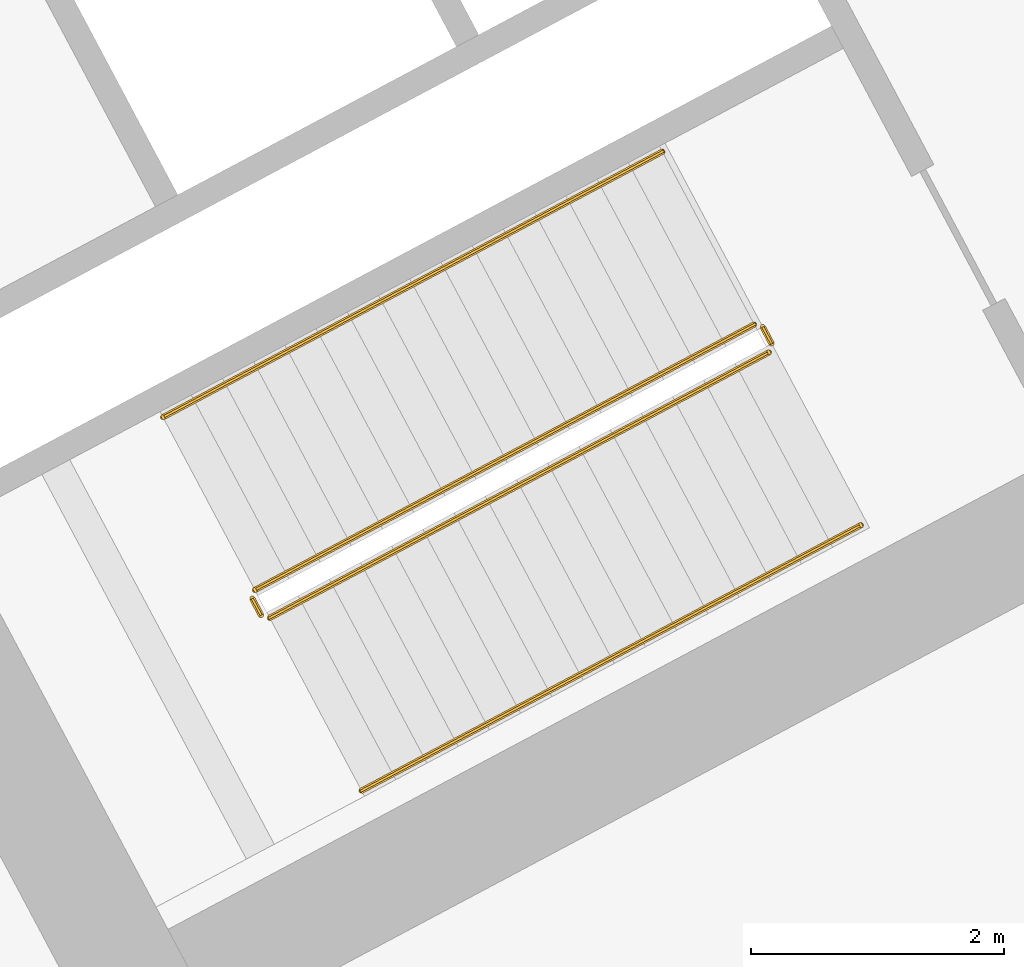
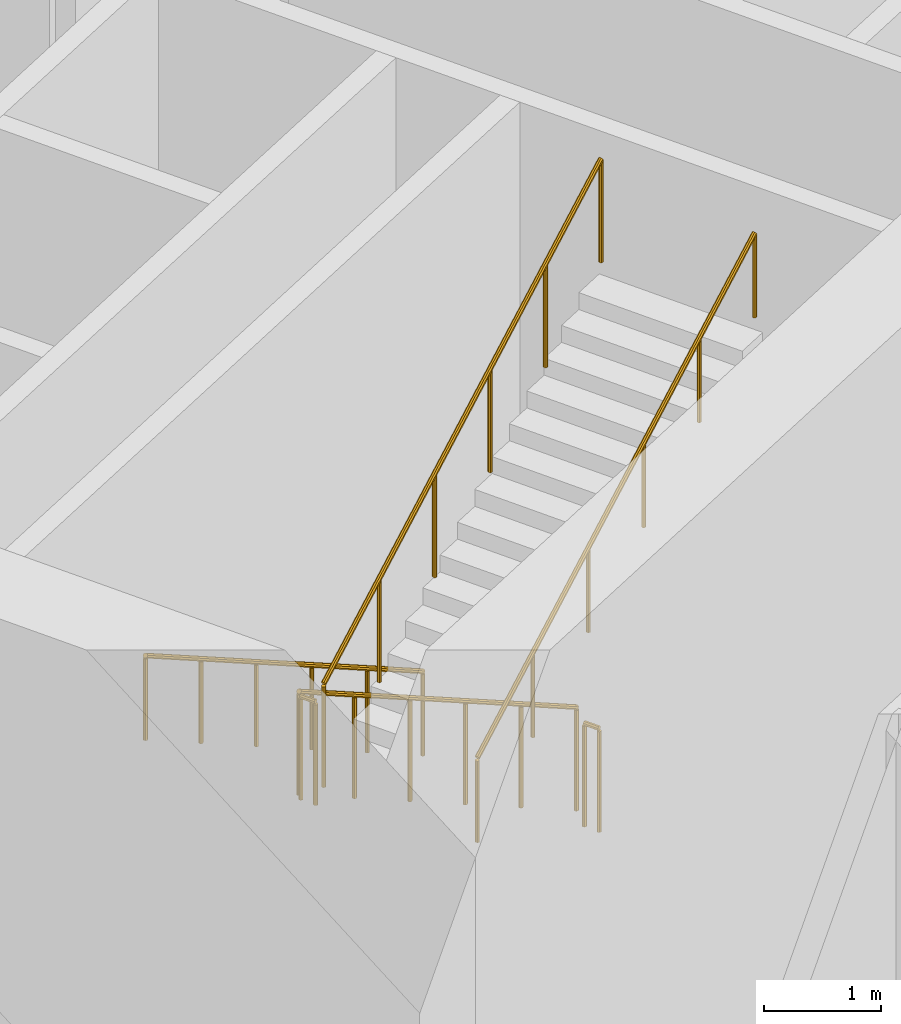
# One storey, part 27 of 33: 6 railings.
"""IFC4 building model written with IfcOpenShell, lengths in metres."""

from ifc_helpers import new_model, si_unit, direction, frame, origin, place, context, subcontext, project, spatial, polyline, outline, extrude, material, type_object, element, save


model = new_model("IFC4")

# Units and contexts
model_context = context("Model", 3, precision=1e-05, world=origin(), true_north=direction((0.0, 1.0)))
body_context = subcontext(model_context, "Body", "Model", "MODEL_VIEW")
ifc_project = project(units=[si_unit("LENGTHUNIT", "METRE"), si_unit("AREAUNIT", "SQUARE_METRE"), si_unit("VOLUMEUNIT", "CUBIC_METRE"), si_unit("PLANEANGLEUNIT", "RADIAN"), si_unit("MASSUNIT", "GRAM", prefix="KILO")], contexts=[model_context])

# Site, building, storey
site_placement = place(None, origin())
site = spatial("IfcSite", under=ifc_project, at=site_placement, CompositionType="ELEMENT")
building_placement = place(site_placement, origin())
building = spatial("IfcBuilding", under=site, at=building_placement, Name="Cormorant Relay Tower", CompositionType="ELEMENT")
storey_placement = place(building_placement, frame((0.0, 0.0, 112.199951171875)))
storey = spatial("IfcBuildingStorey", under=building, at=storey_placement, Name="L22", CompositionType="ELEMENT", Elevation=112.199951171875)

# Railings
ifc_material_1 = material(Name="Steel ASTM A572 Grade 50 (Fy 345 MPa)", Category="steel")
railing_type_1 = type_object("IfcRailingType", Name="Stair guard 1100", PredefinedType="GUARDRAIL", material=ifc_material_1)
railing_1_placement = place(storey_placement, frame((23.83837890625, 4.6904296875, 0.176513671875)))
element("IfcRailing", 1, at=railing_1_placement, inside=storey, type_object=railing_type_1, Name="L22 B1 stair guard 1", PredefinedType="GUARDRAIL", context=body_context, shape_type="SweptSolid", body=[
    extrude(outline(polyline([(0.022216796875, 0.00927734375), (0.00927734375, 0.022216796875), (-0.00927734375, 0.022216796875), (-0.022216796875, 0.00927734375), (-0.022216796875, -0.00927734375), (-0.00927734375, -0.022216796875), (0.00927734375, -0.022216796875), (0.022216796875, -0.00927734375), (0.022216796875, 0.00927734375)])), frame((0.0, 0.0, 1.076171875), z_axis=(-0.746967351038, -0.397180825157, 0.533185866853), x_axis=(0.469481920044, -0.882942085729, 0.0)), (0.0, 0.0, 1.0), 5.29541015625),
    extrude(outline(polyline([(0.019287109375, 0.008056640625), (0.008056640625, 0.019287109375), (-0.008056640625, 0.019287109375), (-0.019287109375, 0.008056640625), (-0.019287109375, -0.008056640625), (-0.008056640625, -0.019287109375), (0.008056640625, -0.019287109375), (0.019287109375, -0.008056640625), (0.019287109375, 0.008056640625)])), origin(), (0.0, 0.0, 1.0), 1.052001953125),
    extrude(outline(polyline([(0.019287109375, 0.008056640625), (0.008056640625, 0.019287109375), (-0.008056640625, 0.019287109375), (-0.019287109375, 0.008056640625), (-0.019287109375, -0.008056640625), (-0.008056640625, -0.019287109375), (0.008056640625, -0.019287109375), (0.019287109375, -0.008056640625), (0.019287109375, 0.008056640625)])), frame((-0.791015625, -0.420654296875, 0.564697265625)), (0.0, 0.0, 1.0), 1.052001953125),
    extrude(outline(polyline([(0.019287109375, 0.008056640625), (0.008056640625, 0.019287109375), (-0.008056640625, 0.019287109375), (-0.019287109375, 0.008056640625), (-0.019287109375, -0.008056640625), (-0.008056640625, -0.019287109375), (0.008056640625, -0.019287109375), (0.019287109375, -0.008056640625), (0.019287109375, 0.008056640625)])), frame((-1.582275390625, -0.84130859375, 1.12939453125)), (0.0, 0.0, 1.0), 1.052001953125),
    extrude(outline(polyline([(0.019287109375, 0.008056640625), (0.008056640625, 0.019287109375), (-0.008056640625, 0.019287109375), (-0.019287109375, 0.008056640625), (-0.019287109375, -0.008056640625), (-0.008056640625, -0.019287109375), (0.008056640625, -0.019287109375), (0.019287109375, -0.008056640625), (0.019287109375, 0.008056640625)])), frame((-2.373291015625, -1.261962890625, 1.694091796875)), (0.0, 0.0, 1.0), 1.052001953125),
    extrude(outline(polyline([(0.019287109375, 0.008056640625), (0.008056640625, 0.019287109375), (-0.008056640625, 0.019287109375), (-0.019287109375, 0.008056640625), (-0.019287109375, -0.008056640625), (-0.008056640625, -0.019287109375), (0.008056640625, -0.019287109375), (0.019287109375, -0.008056640625), (0.019287109375, 0.008056640625)])), frame((-3.16455078125, -1.6826171875, 2.2587890625)), (0.0, 0.0, 1.0), 1.052001953125),
    extrude(outline(polyline([(0.019287109375, 0.008056640625), (0.008056640625, 0.019287109375), (-0.008056640625, 0.019287109375), (-0.019287109375, 0.008056640625), (-0.019287109375, -0.008056640625), (-0.008056640625, -0.019287109375), (0.008056640625, -0.019287109375), (0.019287109375, -0.008056640625), (0.019287109375, 0.008056640625)])), frame((-3.95556640625, -2.103271484375, 2.823486328125)), (0.0, 0.0, 1.0), 1.052001953125),
])
railing_2_placement = place(storey_placement, frame((19.862060546875, 2.51953125, 3.0)))
element("IfcRailing", 2, at=railing_2_placement, inside=storey, type_object=railing_type_1, Name="L22 B1 stair guard 2", PredefinedType="GUARDRAIL", context=body_context, shape_type="SweptSolid", body=[
    extrude(outline(polyline([(0.022216796875, 0.00927734375), (0.00927734375, 0.022216796875), (-0.00927734375, 0.022216796875), (-0.022216796875, 0.00927734375), (-0.022216796875, -0.00927734375), (-0.00927734375, -0.022216796875), (0.00927734375, -0.022216796875), (0.022216796875, -0.00927734375), (0.022216796875, 0.00927734375)])), frame((0.0, 0.0, 1.076171875), z_axis=(0.469234640946, -0.883073525669, 0.0), x_axis=(0.883073525669, 0.469234640946, 0.0)), (0.0, 0.0, 1.0), 0.14990234375),
    extrude(outline(polyline([(0.019287109375, 0.008056640625), (0.008056640625, 0.019287109375), (-0.008056640625, 0.019287109375), (-0.019287109375, 0.008056640625), (-0.019287109375, -0.008056640625), (-0.008056640625, -0.019287109375), (0.008056640625, -0.019287109375), (0.019287109375, -0.008056640625), (0.019287109375, 0.008056640625)])), origin(), (0.0, 0.0, 1.0), 1.052001953125),
    extrude(outline(polyline([(0.019287109375, 0.008056640625), (0.008056640625, 0.019287109375), (-0.008056640625, 0.019287109375), (-0.019287109375, 0.008056640625), (-0.019287109375, -0.008056640625), (-0.008056640625, -0.019287109375), (0.008056640625, -0.019287109375), (0.019287109375, -0.008056640625), (0.019287109375, 0.008056640625)])), frame((0.0703125, -0.13232421875, 0.0)), (0.0, 0.0, 1.0), 1.052001953125),
])
railing_3_placement = place(storey_placement, frame((20.0, 2.366455078125, 3.176513671875)))
element("IfcRailing", 3, at=railing_3_placement, inside=storey, type_object=railing_type_1, Name="L22 B1 stair guard 3", PredefinedType="GUARDRAIL", context=body_context, shape_type="SweptSolid", body=[
    extrude(outline(polyline([(0.022216796875, 0.00927734375), (0.00927734375, 0.022216796875), (-0.00927734375, 0.022216796875), (-0.022216796875, 0.00927734375), (-0.022216796875, -0.00927734375), (-0.00927734375, -0.022216796875), (0.00927734375, -0.022216796875), (0.022216796875, -0.00927734375), (0.022216796875, 0.00927734375)])), frame((0.0, 0.0, 1.076171875), z_axis=(0.746967351038, 0.397180825157, 0.533185866853), x_axis=(-0.469481920044, 0.882942085729, 0.0)), (0.0, 0.0, 1.0), 5.29541015625),
    extrude(outline(polyline([(0.019287109375, 0.008056640625), (0.008056640625, 0.019287109375), (-0.008056640625, 0.019287109375), (-0.019287109375, 0.008056640625), (-0.019287109375, -0.008056640625), (-0.008056640625, -0.019287109375), (0.008056640625, -0.019287109375), (0.019287109375, -0.008056640625), (0.019287109375, 0.008056640625)])), origin(), (0.0, 0.0, 1.0), 1.052001953125),
    extrude(outline(polyline([(0.019287109375, 0.008056640625), (0.008056640625, 0.019287109375), (-0.008056640625, 0.019287109375), (-0.019287109375, 0.008056640625), (-0.019287109375, -0.008056640625), (-0.008056640625, -0.019287109375), (0.008056640625, -0.019287109375), (0.019287109375, -0.008056640625), (0.019287109375, 0.008056640625)])), frame((0.791015625, 0.420654296875, 0.564697265625)), (0.0, 0.0, 1.0), 1.052001953125),
    extrude(outline(polyline([(0.019287109375, 0.008056640625), (0.008056640625, 0.019287109375), (-0.008056640625, 0.019287109375), (-0.019287109375, 0.008056640625), (-0.019287109375, -0.008056640625), (-0.008056640625, -0.019287109375), (0.008056640625, -0.019287109375), (0.019287109375, -0.008056640625), (0.019287109375, 0.008056640625)])), frame((1.582275390625, 0.84130859375, 1.12939453125)), (0.0, 0.0, 1.0), 1.052001953125),
    extrude(outline(polyline([(0.019287109375, 0.008056640625), (0.008056640625, 0.019287109375), (-0.008056640625, 0.019287109375), (-0.019287109375, 0.008056640625), (-0.019287109375, -0.008056640625), (-0.008056640625, -0.019287109375), (0.008056640625, -0.019287109375), (0.019287109375, -0.008056640625), (0.019287109375, 0.008056640625)])), frame((2.373291015625, 1.261962890625, 1.694091796875)), (0.0, 0.0, 1.0), 1.052001953125),
    extrude(outline(polyline([(0.019287109375, 0.008056640625), (0.008056640625, 0.019287109375), (-0.008056640625, 0.019287109375), (-0.019287109375, 0.008056640625), (-0.019287109375, -0.008056640625), (-0.008056640625, -0.019287109375), (0.008056640625, -0.019287109375), (0.019287109375, -0.008056640625), (0.019287109375, 0.008056640625)])), frame((3.16455078125, 1.6826171875, 2.2587890625)), (0.0, 0.0, 1.0), 1.052001953125),
    extrude(outline(polyline([(0.019287109375, 0.008056640625), (0.008056640625, 0.019287109375), (-0.008056640625, 0.019287109375), (-0.019287109375, 0.008056640625), (-0.019287109375, -0.008056640625), (-0.008056640625, -0.019287109375), (0.008056640625, -0.019287109375), (0.019287109375, -0.008056640625), (0.019287109375, 0.008056640625)])), frame((3.95556640625, 2.103271484375, 2.823486328125)), (0.0, 0.0, 1.0), 1.052001953125),
])
railing_4_placement = place(storey_placement, frame((23.906005859375, 4.669677734375, 0.0)))
element("IfcRailing", 4, at=railing_4_placement, inside=storey, type_object=railing_type_1, Name="L22 B1 stair guard 4", PredefinedType="GUARDRAIL", context=body_context, shape_type="SweptSolid", body=[
    extrude(outline(polyline([(0.022216796875, 0.00927734375), (0.00927734375, 0.022216796875), (-0.00927734375, 0.022216796875), (-0.022216796875, 0.00927734375), (-0.022216796875, -0.00927734375), (-0.00927734375, -0.022216796875), (0.00927734375, -0.022216796875), (0.022216796875, -0.00927734375), (0.022216796875, 0.00927734375)])), frame((0.0, 0.0, 1.076171875), z_axis=(0.469234640946, -0.883073525669, 0.0), x_axis=(0.883073525669, 0.469234640946, 0.0)), (0.0, 0.0, 1.0), 0.14990234375),
    extrude(outline(polyline([(0.019287109375, 0.008056640625), (0.008056640625, 0.019287109375), (-0.008056640625, 0.019287109375), (-0.019287109375, 0.008056640625), (-0.019287109375, -0.008056640625), (-0.008056640625, -0.019287109375), (0.008056640625, -0.019287109375), (0.019287109375, -0.008056640625), (0.019287109375, 0.008056640625)])), origin(), (0.0, 0.0, 1.0), 1.052001953125),
    extrude(outline(polyline([(0.019287109375, 0.008056640625), (0.008056640625, 0.019287109375), (-0.008056640625, 0.019287109375), (-0.019287109375, 0.008056640625), (-0.019287109375, -0.008056640625), (-0.008056640625, -0.019287109375), (0.008056640625, -0.019287109375), (0.019287109375, -0.008056640625), (0.019287109375, 0.008056640625)])), frame((0.0703125, -0.13232421875, 0.0)), (0.0, 0.0, 1.0), 1.052001953125),
])
ifc_material_2 = material(Name="Steel ASTM A572 Grade 50 (Fy 345 MPa)", Category="steel")
railing_type_2 = type_object("IfcRailingType", Name="Stair handrail 900", PredefinedType="HANDRAIL", material=ifc_material_2)
railing_5_placement = place(storey_placement, frame((23.110595703125, 6.05908203125, 0.176513671875)))
element("IfcRailing", 5, at=railing_5_placement, inside=storey, type_object=railing_type_2, Name="L22 B1 stair handrail 1", PredefinedType="HANDRAIL", context=body_context, shape_type="SweptSolid", body=[
    extrude(outline(polyline([(0.022216796875, 0.00927734375), (0.00927734375, 0.022216796875), (-0.00927734375, 0.022216796875), (-0.022216796875, 0.00927734375), (-0.022216796875, -0.00927734375), (-0.00927734375, -0.022216796875), (0.00927734375, -0.022216796875), (0.022216796875, -0.00927734375), (0.022216796875, 0.00927734375)])), frame((0.0, 0.0, 0.8759765625), z_axis=(-0.746967351038, -0.397180825157, 0.533185866853), x_axis=(0.469481920044, -0.882942085729, 0.0)), (0.0, 0.0, 1.0), 5.29541015625),
    extrude(outline(polyline([(0.019287109375, 0.008056640625), (0.008056640625, 0.019287109375), (-0.008056640625, 0.019287109375), (-0.019287109375, 0.008056640625), (-0.019287109375, -0.008056640625), (-0.008056640625, -0.019287109375), (0.008056640625, -0.019287109375), (0.019287109375, -0.008056640625), (0.019287109375, 0.008056640625)])), origin(), (0.0, 0.0, 1.0), 0.851806640625),
    extrude(outline(polyline([(0.019287109375, 0.008056640625), (0.008056640625, 0.019287109375), (-0.008056640625, 0.019287109375), (-0.019287109375, 0.008056640625), (-0.019287109375, -0.008056640625), (-0.008056640625, -0.019287109375), (0.008056640625, -0.019287109375), (0.019287109375, -0.008056640625), (0.019287109375, 0.008056640625)])), frame((-0.791015625, -0.420654296875, 0.564697265625)), (0.0, 0.0, 1.0), 0.851806640625),
    extrude(outline(polyline([(0.019287109375, 0.008056640625), (0.008056640625, 0.019287109375), (-0.008056640625, 0.019287109375), (-0.019287109375, 0.008056640625), (-0.019287109375, -0.008056640625), (-0.008056640625, -0.019287109375), (0.008056640625, -0.019287109375), (0.019287109375, -0.008056640625), (0.019287109375, 0.008056640625)])), frame((-1.582275390625, -0.84130859375, 1.12939453125)), (0.0, 0.0, 1.0), 0.851806640625),
    extrude(outline(polyline([(0.019287109375, 0.008056640625), (0.008056640625, 0.019287109375), (-0.008056640625, 0.019287109375), (-0.019287109375, 0.008056640625), (-0.019287109375, -0.008056640625), (-0.008056640625, -0.019287109375), (0.008056640625, -0.019287109375), (0.019287109375, -0.008056640625), (0.019287109375, 0.008056640625)])), frame((-2.373291015625, -1.261962890625, 1.694091796875)), (0.0, 0.0, 1.0), 0.851806640625),
    extrude(outline(polyline([(0.019287109375, 0.008056640625), (0.008056640625, 0.019287109375), (-0.008056640625, 0.019287109375), (-0.019287109375, 0.008056640625), (-0.019287109375, -0.008056640625), (-0.008056640625, -0.019287109375), (0.008056640625, -0.019287109375), (0.019287109375, -0.008056640625), (0.019287109375, 0.008056640625)])), frame((-3.16455078125, -1.6826171875, 2.2587890625)), (0.0, 0.0, 1.0), 0.851806640625),
    extrude(outline(polyline([(0.019287109375, 0.008056640625), (0.008056640625, 0.019287109375), (-0.008056640625, 0.019287109375), (-0.019287109375, 0.008056640625), (-0.019287109375, -0.008056640625), (-0.008056640625, -0.019287109375), (0.008056640625, -0.019287109375), (0.019287109375, -0.008056640625), (0.019287109375, 0.008056640625)])), frame((-3.95556640625, -2.103271484375, 2.823486328125)), (0.0, 0.0, 1.0), 0.851806640625),
])
railing_6_placement = place(storey_placement, frame((20.727783203125, 0.997802734375, 3.176513671875)))
element("IfcRailing", 6, at=railing_6_placement, inside=storey, type_object=railing_type_2, Name="L22 B1 stair handrail 2", PredefinedType="HANDRAIL", context=body_context, shape_type="SweptSolid", body=[
    extrude(outline(polyline([(0.022216796875, 0.00927734375), (0.00927734375, 0.022216796875), (-0.00927734375, 0.022216796875), (-0.022216796875, 0.00927734375), (-0.022216796875, -0.00927734375), (-0.00927734375, -0.022216796875), (0.00927734375, -0.022216796875), (0.022216796875, -0.00927734375), (0.022216796875, 0.00927734375)])), frame((0.0, 0.0, 0.8759765625), z_axis=(0.746967351038, 0.397180825157, 0.533185866853), x_axis=(-0.469481920044, 0.882942085729, 0.0)), (0.0, 0.0, 1.0), 5.29541015625),
    extrude(outline(polyline([(0.019287109375, 0.008056640625), (0.008056640625, 0.019287109375), (-0.008056640625, 0.019287109375), (-0.019287109375, 0.008056640625), (-0.019287109375, -0.008056640625), (-0.008056640625, -0.019287109375), (0.008056640625, -0.019287109375), (0.019287109375, -0.008056640625), (0.019287109375, 0.008056640625)])), origin(), (0.0, 0.0, 1.0), 0.851806640625),
    extrude(outline(polyline([(0.019287109375, 0.008056640625), (0.008056640625, 0.019287109375), (-0.008056640625, 0.019287109375), (-0.019287109375, 0.008056640625), (-0.019287109375, -0.008056640625), (-0.008056640625, -0.019287109375), (0.008056640625, -0.019287109375), (0.019287109375, -0.008056640625), (0.019287109375, 0.008056640625)])), frame((0.791015625, 0.420654296875, 0.564697265625)), (0.0, 0.0, 1.0), 0.851806640625),
    extrude(outline(polyline([(0.019287109375, 0.008056640625), (0.008056640625, 0.019287109375), (-0.008056640625, 0.019287109375), (-0.019287109375, 0.008056640625), (-0.019287109375, -0.008056640625), (-0.008056640625, -0.019287109375), (0.008056640625, -0.019287109375), (0.019287109375, -0.008056640625), (0.019287109375, 0.008056640625)])), frame((1.582275390625, 0.84130859375, 1.12939453125)), (0.0, 0.0, 1.0), 0.851806640625),
    extrude(outline(polyline([(0.019287109375, 0.008056640625), (0.008056640625, 0.019287109375), (-0.008056640625, 0.019287109375), (-0.019287109375, 0.008056640625), (-0.019287109375, -0.008056640625), (-0.008056640625, -0.019287109375), (0.008056640625, -0.019287109375), (0.019287109375, -0.008056640625), (0.019287109375, 0.008056640625)])), frame((2.373291015625, 1.261962890625, 1.694091796875)), (0.0, 0.0, 1.0), 0.851806640625),
    extrude(outline(polyline([(0.019287109375, 0.008056640625), (0.008056640625, 0.019287109375), (-0.008056640625, 0.019287109375), (-0.019287109375, 0.008056640625), (-0.019287109375, -0.008056640625), (-0.008056640625, -0.019287109375), (0.008056640625, -0.019287109375), (0.019287109375, -0.008056640625), (0.019287109375, 0.008056640625)])), frame((3.16455078125, 1.6826171875, 2.2587890625)), (0.0, 0.0, 1.0), 0.851806640625),
    extrude(outline(polyline([(0.019287109375, 0.008056640625), (0.008056640625, 0.019287109375), (-0.008056640625, 0.019287109375), (-0.019287109375, 0.008056640625), (-0.019287109375, -0.008056640625), (-0.008056640625, -0.019287109375), (0.008056640625, -0.019287109375), (0.019287109375, -0.008056640625), (0.019287109375, 0.008056640625)])), frame((3.95556640625, 2.103271484375, 2.823486328125)), (0.0, 0.0, 1.0), 0.851806640625),
])

save(model, "model.ifc")
